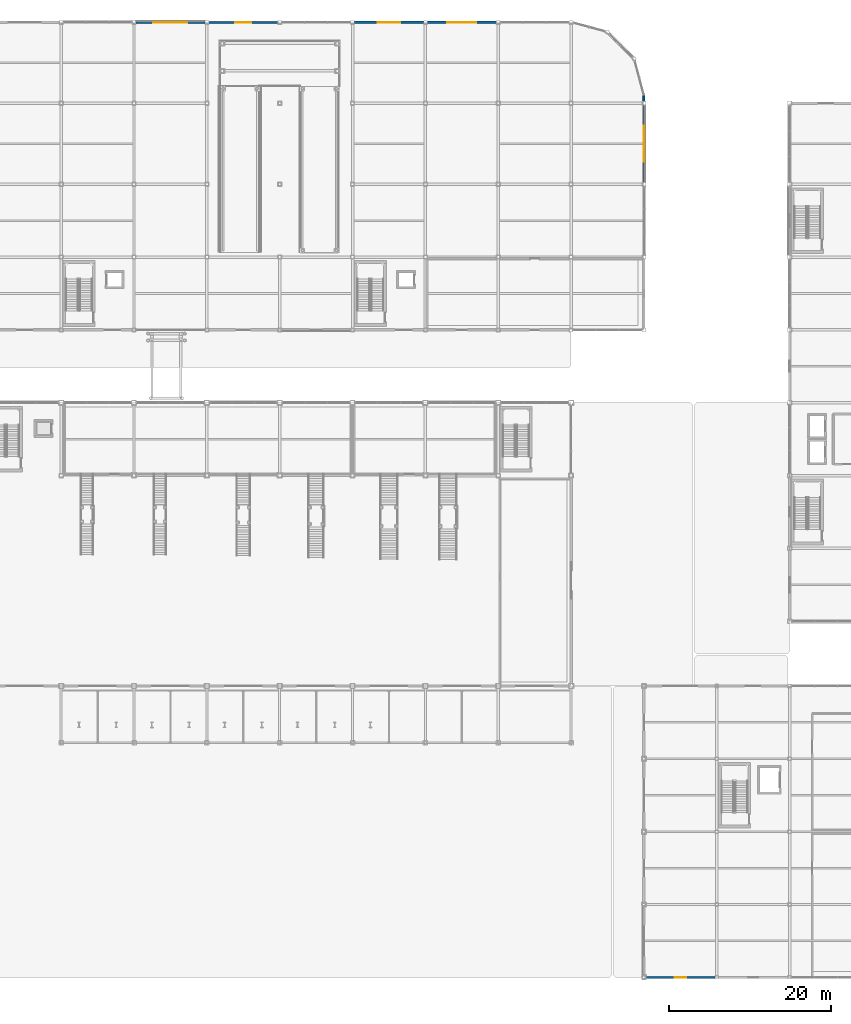
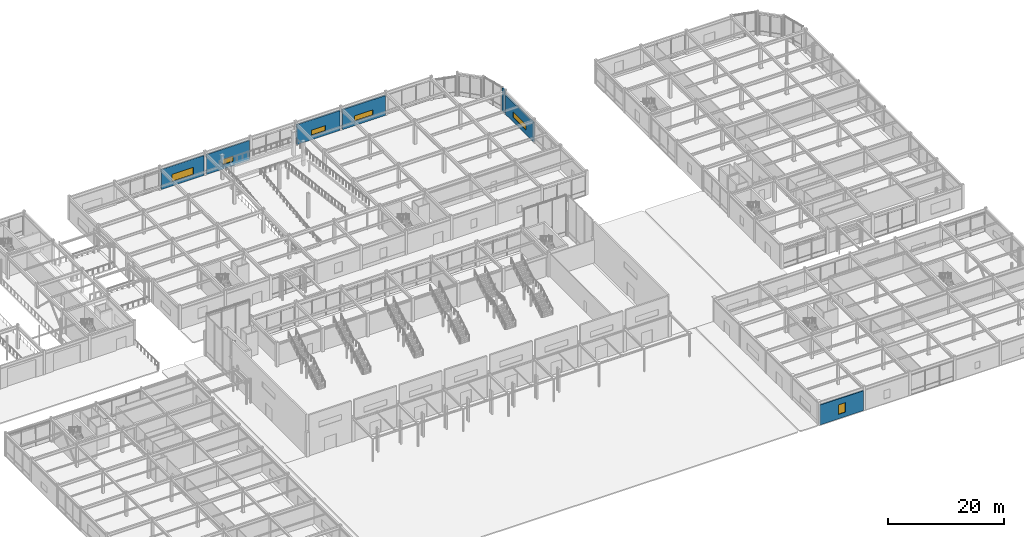
# One storey, part 90 of 123: 7 walls, 6 windows, 6 openings.
"""IFC4 building model written with IfcOpenShell, lengths in metres."""

from ifc_helpers import new_model, si_unit, direction, frame, frame_2d, origin, place, context, subcontext, project, spatial, rectangle, extrude, material, layer, layer_set, type_object, element, fill, save


model = new_model("IFC4")

# Units and contexts
model_context = context("Model", 3, precision=1e-05, world=origin(), true_north=direction((0.0, 1.0)))
body_context = subcontext(model_context, "Body", "Model", "MODEL_VIEW")
ifc_project = project(units=[si_unit("LENGTHUNIT", "METRE"), si_unit("AREAUNIT", "SQUARE_METRE"), si_unit("VOLUMEUNIT", "CUBIC_METRE"), si_unit("PLANEANGLEUNIT", "RADIAN"), si_unit("MASSUNIT", "GRAM", prefix="KILO")], contexts=[model_context])

# Site, building, storey
site_placement = place(None, origin())
site = spatial("IfcSite", under=ifc_project, at=site_placement, CompositionType="ELEMENT")
building_placement = place(site_placement, origin())
building = spatial("IfcBuilding", under=site, at=building_placement, Name="Suzunagisa Mobility Hub", CompositionType="ELEMENT")
storey_placement = place(building_placement, origin())
storey = spatial("IfcBuildingStorey", under=building, at=storey_placement, Name="L00", CompositionType="ELEMENT", Elevation=0.0)

# Wall, opening, window
ifc_material_1 = material(Name="Porcelain-Faced Insulated Concrete C30/37 Wall", Category="concrete")
ifc_layer_1 = layer(ifc_material_1, 0.260009765625)
ifc_layer_set_1 = layer_set([ifc_layer_1], Name="Porcelain-Faced Insulated Concrete C30/37 Wall")
wall_type_1 = type_object("IfcWallType", Name="Exterior Wall EW-03 260mm", PredefinedType="SOLIDWALL", material=ifc_layer_set_1)
wall_1_placement = place(storey_placement, frame((126.0, 98.22509765625, 0.0), z_axis=(0.0, 0.0, 1.0), x_axis=(0.0, 1.0, 0.0)))
wall_1 = element("IfcWall", 1, at=wall_1_placement, inside=storey, type_object=wall_type_1, Name="L00 Exterior Facade Wall EW-170", PredefinedType="SOLIDWALL", context=body_context, shape_type="SweptSolid", body=[
    extrude(rectangle(XDim=9.5498046875, YDim=0.260009765625, at=frame_2d((4.77490234375, 0.0))), origin(), (0.0, 0.0, 1.0), 4.090087890625),
])
opening_1_placement = place(wall_1_placement, frame((2.52490234375, 0.0, 0.949951171875)))
opening_1 = element("IfcOpeningElement", 2, at=opening_1_placement, cuts=wall_1, Name="Opening WN-28", PredefinedType="OPENING", context=body_context, shape_type="SweptSolid", body=[
    extrude(rectangle(XDim=4.5, YDim=1.199951171875, at=frame_2d((2.25, 0.60009765625))), frame((0.0, 0.14111328125, 0.0), z_axis=(0.0, -1.0, 0.0), x_axis=(1.0, 0.0, 0.0)), (0.0, 0.0, 1.0), 0.281982421875),
])
ifc_material_2 = material(Name="Thermally Broken Anodized Aluminum and Low-E Double Glazing", Category="aluminium")
window_type_1 = type_object("IfcWindowType", Name="Aluminum Window WN-28 4500x1200", PartitioningType="SINGLE_PANEL", PredefinedType="WINDOW", material=ifc_material_2)
window_1_placement = place(opening_1_placement, origin())
window_1 = element("IfcWindow", 3, at=window_1_placement, inside=storey, type_object=window_type_1, Name="L00 Scheduled Facade Window WN-45", OverallHeight=1.199951171875, OverallWidth=4.5, PartitioningType="SINGLE_PANEL", PredefinedType="WINDOW", context=body_context, shape_type="SweptSolid", body=[
    extrude(rectangle(XDim=4.5, YDim=1.199951171875, at=frame_2d((2.25, 0.60009765625))), frame((0.0, 0.030029296875, 0.0), z_axis=(0.0, -1.0, 0.0), x_axis=(1.0, 0.0, 0.0)), (0.0, 0.0, 1.0), 0.06005859375),
])
fill(opening_1, window_1)

wall_2_placement = place(storey_placement, frame((80.77490234375, 118.0, 0.0), z_axis=(0.0, 0.0, 1.0), x_axis=(-1.0, 0.0, 0.0)))
wall_2 = element("IfcWall", 4, at=wall_2_placement, inside=storey, type_object=wall_type_1, Name="L00 Exterior Facade Wall EW-174", PredefinedType="SOLIDWALL", context=body_context, shape_type="SweptSolid", body=[
    extrude(rectangle(XDim=8.5498046875, YDim=0.260009765625, at=frame_2d((4.27490234375, 0.0))), origin(), (0.0, 0.0, 1.0), 4.18994140625),
])
opening_2_placement = place(wall_2_placement, frame((3.27490234375, 0.0, 0.949951171875)))
opening_2 = element("IfcOpeningElement", 5, at=opening_2_placement, cuts=wall_2, Name="Opening WN-26", PredefinedType="OPENING", context=body_context, shape_type="SweptSolid", body=[
    extrude(rectangle(XDim=2.0, YDim=1.10009765625, at=frame_2d((1.0, 0.550048828125))), frame((0.0, 0.14111328125, 0.0), z_axis=(0.0, -1.0, 0.0), x_axis=(1.0, 0.0, 0.0)), (0.0, 0.0, 1.0), 0.281982421875),
])
window_type_2 = type_object("IfcWindowType", Name="Aluminum Window WN-26 2000x1100", PartitioningType="SINGLE_PANEL", PredefinedType="WINDOW", material=ifc_material_2)
window_2_placement = place(opening_2_placement, origin())
window_2 = element("IfcWindow", 6, at=window_2_placement, inside=storey, type_object=window_type_2, Name="L00 Scheduled Facade Window WN-48", OverallHeight=1.10009765625, OverallWidth=2.0, PartitioningType="SINGLE_PANEL", PredefinedType="WINDOW", context=body_context, shape_type="SweptSolid", body=[
    extrude(rectangle(XDim=2.0, YDim=1.10009765625, at=frame_2d((1.0, 0.550048828125))), frame((0.0, 0.030029296875, 0.0), z_axis=(0.0, -1.0, 0.0), x_axis=(1.0, 0.0, 0.0)), (0.0, 0.0, 1.0), 0.06005859375),
])
fill(opening_2, window_2)

wall_3_placement = place(storey_placement, frame((126.199951171875, 0.0, 0.0), z_axis=(0.0, 0.0, 1.0), x_axis=(1.0, 0.0, 0.0)))
wall_3 = element("IfcWall", 7, at=wall_3_placement, inside=storey, type_object=wall_type_1, Name="L00 Exterior Facade Wall EW-282", PredefinedType="SOLIDWALL", context=body_context, shape_type="SweptSolid", body=[
    extrude(rectangle(XDim=8.60009765625, YDim=0.260009765625, at=frame_2d((4.300048828125, 0.0))), origin(), (0.0, 0.0, 1.0), 4.18994140625),
])
opening_3_placement = place(wall_3_placement, frame((3.60009765625, 0.0, 0.949951171875)))
opening_3 = element("IfcOpeningElement", 8, at=opening_3_placement, cuts=wall_3, Name="Opening WN-25", PredefinedType="OPENING", context=body_context, shape_type="SweptSolid", body=[
    extrude(rectangle(XDim=1.39990234375, YDim=2.0, at=frame_2d((0.699951171875, 1.0))), frame((0.0, 0.14111328125, 0.0), z_axis=(0.0, -1.0, 0.0), x_axis=(1.0, 0.0, 0.0)), (0.0, 0.0, 1.0), 0.281982421875),
])
window_type_3 = type_object("IfcWindowType", Name="Aluminum Window WN-25 1400x2000", PartitioningType="SINGLE_PANEL", PredefinedType="WINDOW", material=ifc_material_2)
window_3_placement = place(opening_3_placement, origin())
window_3 = element("IfcWindow", 9, at=window_3_placement, inside=storey, type_object=window_type_3, Name="L00 Scheduled Facade Window WN-89", OverallHeight=2.0, OverallWidth=1.39990234375, PartitioningType="SINGLE_PANEL", PredefinedType="WINDOW", context=body_context, shape_type="SweptSolid", body=[
    extrude(rectangle(XDim=1.39990234375, YDim=2.0, at=frame_2d((0.699951171875, 1.0))), frame((0.0, 0.030029296875, 0.0), z_axis=(0.0, -1.0, 0.0), x_axis=(1.0, 0.0, 0.0)), (0.0, 0.0, 1.0), 0.06005859375),
])
fill(opening_3, window_3)

# Wall
ifc_material_3 = material(Name="Lightweight Insulated Autoclaved Concrete C30/37 Wall", Category="concrete")
ifc_layer_2 = layer(ifc_material_3, 0.239990234375)
ifc_layer_set_2 = layer_set([ifc_layer_2], Name="Lightweight Insulated Autoclaved Concrete C30/37 Wall")
wall_type_2 = type_object("IfcWallType", Name="Exterior Wall EW-04 240mm", PredefinedType="SOLIDWALL", material=ifc_layer_set_2)
wall_4_placement = place(storey_placement, frame((126.0, 108.22509765625, 0.0), z_axis=(0.0, 0.0, 1.0), x_axis=(0.0, 1.0, 0.0)))
element("IfcWall", 10, at=wall_4_placement, inside=storey, type_object=wall_type_2, Name="L00 Exterior Facade Wall EW-171", PredefinedType="SOLIDWALL", context=body_context, shape_type="SweptSolid", body=[
    extrude(rectangle(XDim=0.77490234375, YDim=0.239990234375, at=frame_2d((0.387451171875, 0.0))), origin(), (0.0, 0.0, 1.0), 4.840087890625),
])

# Wall, opening, window
wall_5_placement = place(storey_placement, frame((71.77490234375, 118.0, 0.0), z_axis=(0.0, 0.0, 1.0), x_axis=(-1.0, 0.0, 0.0)))
wall_5 = element("IfcWall", 11, at=wall_5_placement, inside=storey, type_object=wall_type_2, Name="L00 Exterior Facade Wall EW-175", PredefinedType="SOLIDWALL", context=body_context, shape_type="SweptSolid", body=[
    extrude(rectangle(XDim=8.5498046875, YDim=0.239990234375, at=frame_2d((4.27490234375, 0.0))), origin(), (0.0, 0.0, 1.0), 4.18994140625),
])
opening_4_placement = place(wall_5_placement, frame((2.175048828125, 0.0, 0.949951171875)))
opening_4 = element("IfcOpeningElement", 12, at=opening_4_placement, cuts=wall_5, Name="Opening WN-22", PredefinedType="OPENING", context=body_context, shape_type="SweptSolid", body=[
    extrude(rectangle(XDim=4.199951171875, YDim=1.5, at=frame_2d((2.10009765625, 0.75))), frame((0.0, 0.130859375, 0.0), z_axis=(0.0, -1.0, 0.0), x_axis=(1.0, 0.0, 0.0)), (0.0, 0.0, 1.0), 0.261962890625),
])
window_type_4 = type_object("IfcWindowType", Name="Aluminum Window WN-22 4200x1500", PartitioningType="SINGLE_PANEL", PredefinedType="WINDOW", material=ifc_material_2)
window_4_placement = place(opening_4_placement, origin())
window_4 = element("IfcWindow", 13, at=window_4_placement, inside=storey, type_object=window_type_4, Name="L00 Scheduled Facade Window WN-49", OverallHeight=1.5, OverallWidth=4.199951171875, PartitioningType="SINGLE_PANEL", PredefinedType="WINDOW", context=body_context, shape_type="SweptSolid", body=[
    extrude(rectangle(XDim=4.199951171875, YDim=1.5, at=frame_2d((2.10009765625, 0.75))), frame((0.0, 0.030029296875, 0.0), z_axis=(0.0, -1.0, 0.0), x_axis=(1.0, 0.0, 0.0)), (0.0, 0.0, 1.0), 0.06005859375),
])
fill(opening_4, window_4)

ifc_layer_3 = layer(ifc_material_1, 0.280029296875)
ifc_layer_set_3 = layer_set([ifc_layer_3], Name="Porcelain-Faced Insulated Concrete C30/37 Wall")
wall_type_3 = type_object("IfcWallType", Name="Exterior Wall EW-08 280mm", PredefinedType="SOLIDWALL", material=ifc_layer_set_3)
wall_6_placement = place(storey_placement, frame((98.77490234375, 118.0, 0.0), z_axis=(0.0, 0.0, 1.0), x_axis=(-1.0, 0.0, 0.0)))
wall_6 = element("IfcWall", 14, at=wall_6_placement, inside=storey, type_object=wall_type_3, Name="L00 Exterior Facade Wall EW-173", PredefinedType="SOLIDWALL", context=body_context, shape_type="SweptSolid", body=[
    extrude(rectangle(XDim=8.5498046875, YDim=0.280029296875, at=frame_2d((4.27490234375, 0.0))), origin(), (0.0, 0.0, 1.0), 4.18994140625),
])
opening_5_placement = place(wall_6_placement, frame((2.875, 0.0, 0.949951171875)))
opening_5 = element("IfcOpeningElement", 15, at=opening_5_placement, cuts=wall_6, Name="Opening WN-01", PredefinedType="OPENING", context=body_context, shape_type="SweptSolid", body=[
    extrude(rectangle(XDim=2.800048828125, YDim=1.10009765625, at=frame_2d((1.39990234375, 0.550048828125))), frame((0.0, 0.15087890625, 0.0), z_axis=(0.0, -1.0, 0.0), x_axis=(1.0, 0.0, 0.0)), (0.0, 0.0, 1.0), 0.302001953125),
])
window_type_5 = type_object("IfcWindowType", Name="Aluminum Window WN-01 2800x1100", PartitioningType="SINGLE_PANEL", PredefinedType="WINDOW", material=ifc_material_2)
window_5_placement = place(opening_5_placement, origin())
window_5 = element("IfcWindow", 16, at=window_5_placement, inside=storey, type_object=window_type_5, Name="L00 Scheduled Facade Window WN-47", OverallHeight=1.10009765625, OverallWidth=2.800048828125, PartitioningType="SINGLE_PANEL", PredefinedType="WINDOW", context=body_context, shape_type="SweptSolid", body=[
    extrude(rectangle(XDim=2.800048828125, YDim=1.10009765625, at=frame_2d((1.39990234375, 0.550048828125))), frame((0.0, 0.030029296875, 0.0), z_axis=(0.0, -1.0, 0.0), x_axis=(1.0, 0.0, 0.0)), (0.0, 0.0, 1.0), 0.06005859375),
])
fill(opening_5, window_5)

ifc_material_4 = material(Name="Insulated Precast Concrete C35/45 Panel", Category="concrete")
ifc_layer_4 = layer(ifc_material_4, 0.300048828125)
ifc_layer_set_4 = layer_set([ifc_layer_4], Name="Insulated Precast Concrete C35/45 Panel")
wall_type_4 = type_object("IfcWallType", Name="Exterior Wall EW-09 300mm", PredefinedType="SOLIDWALL", material=ifc_layer_set_4)
wall_7_placement = place(storey_placement, frame((107.77490234375, 118.0, 0.0), z_axis=(0.0, 0.0, 1.0), x_axis=(-1.0, 0.0, 0.0)))
wall_7 = element("IfcWall", 17, at=wall_7_placement, inside=storey, type_object=wall_type_4, Name="L00 Exterior Facade Wall EW-172", PredefinedType="SOLIDWALL", context=body_context, shape_type="SweptSolid", body=[
    extrude(rectangle(XDim=8.5498046875, YDim=0.300048828125, at=frame_2d((4.27490234375, 0.0))), origin(), (0.0, 0.0, 1.0), 4.18994140625),
])
opening_6_placement = place(wall_7_placement, frame((2.47509765625, 0.0, 0.949951171875)))
opening_6 = element("IfcOpeningElement", 18, at=opening_6_placement, cuts=wall_7, Name="Opening WN-05", PredefinedType="OPENING", context=body_context, shape_type="SweptSolid", body=[
    extrude(rectangle(XDim=3.60009765625, YDim=1.10009765625, at=frame_2d((1.800048828125, 0.550048828125))), frame((0.0, 0.1611328125, 0.0), z_axis=(0.0, -1.0, 0.0), x_axis=(1.0, 0.0, 0.0)), (0.0, 0.0, 1.0), 0.322021484375),
])
window_type_6 = type_object("IfcWindowType", Name="Aluminum Window WN-05 3600x1100", PartitioningType="SINGLE_PANEL", PredefinedType="WINDOW", material=ifc_material_2)
window_6_placement = place(opening_6_placement, origin())
window_6 = element("IfcWindow", 19, at=window_6_placement, inside=storey, type_object=window_type_6, Name="L00 Scheduled Facade Window WN-46", OverallHeight=1.10009765625, OverallWidth=3.60009765625, PartitioningType="SINGLE_PANEL", PredefinedType="WINDOW", context=body_context, shape_type="SweptSolid", body=[
    extrude(rectangle(XDim=3.60009765625, YDim=1.10009765625, at=frame_2d((1.800048828125, 0.550048828125))), frame((0.0, 0.030029296875, 0.0), z_axis=(0.0, -1.0, 0.0), x_axis=(1.0, 0.0, 0.0)), (0.0, 0.0, 1.0), 0.06005859375),
])
fill(opening_6, window_6)

save(model, "model.ifc")
